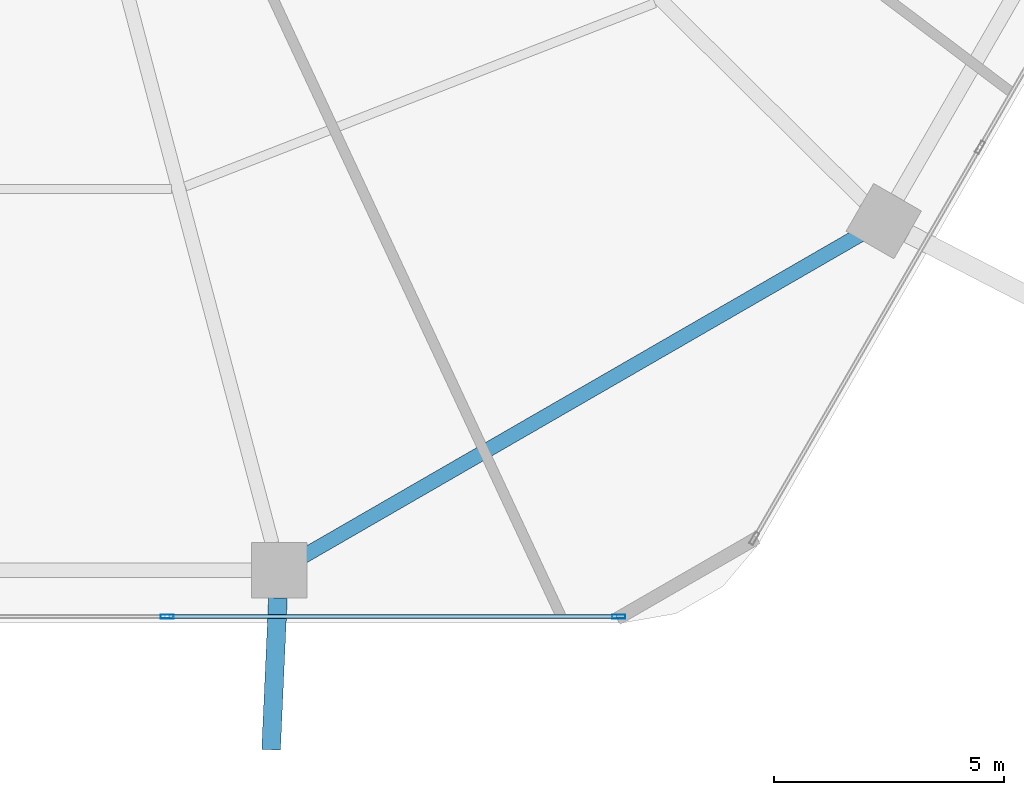
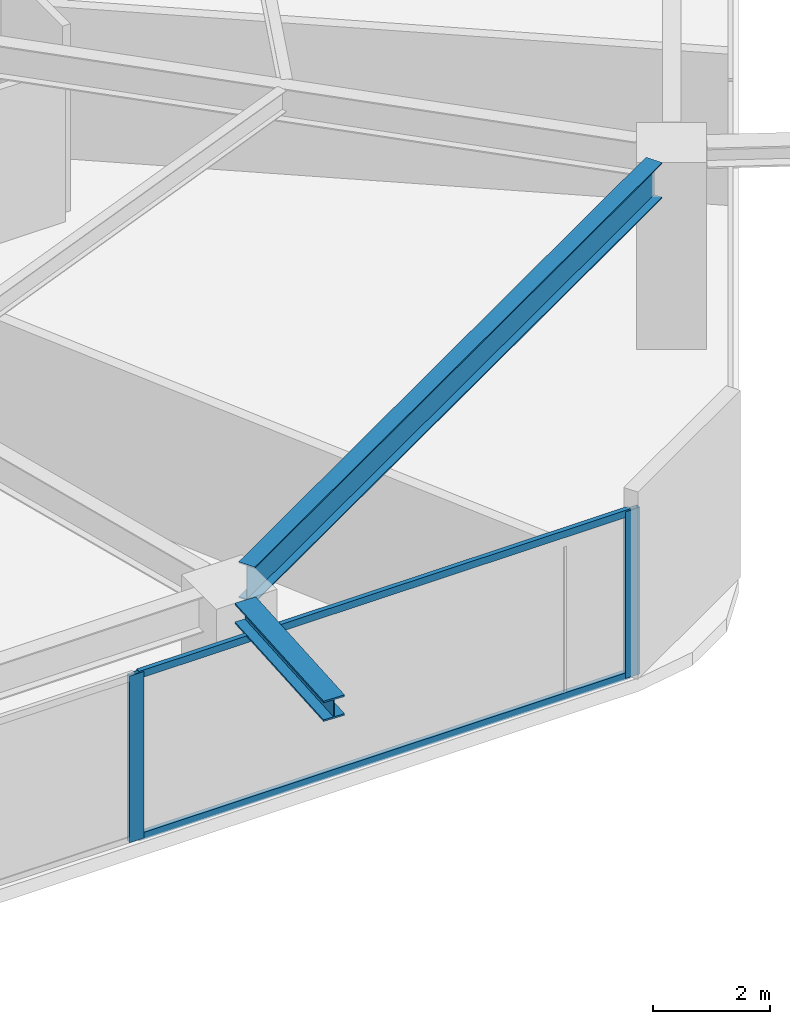
# One storey, part 7 of 25: 4 members, 2 beams, 1 element without a shape of its own.
"""IFC4 building model written with IfcOpenShell, lengths in metres."""

from ifc_helpers import new_model, si_unit, direction, frame, origin, origin_2d, place, context, subcontext, project, spatial, hollow_rectangle, i_section, extrude, material, material_profile, profile_set, type_object, element, aggregate, save


model = new_model("IFC4")

# Units and contexts
model_context = context("Model", 3, precision=1e-05, world=origin(), true_north=direction((0.0, 1.0)))
body_context = subcontext(model_context, "Body", "Model", "MODEL_VIEW")
ifc_project = project(units=[si_unit("LENGTHUNIT", "METRE"), si_unit("AREAUNIT", "SQUARE_METRE"), si_unit("VOLUMEUNIT", "CUBIC_METRE"), si_unit("PLANEANGLEUNIT", "RADIAN"), si_unit("MASSUNIT", "GRAM", prefix="KILO")], contexts=[model_context])

# Site, building, storey
site_placement = place(None, origin())
site = spatial("IfcSite", under=ifc_project, at=site_placement, CompositionType="ELEMENT")
building_placement = place(site_placement, origin())
building = spatial("IfcBuilding", under=site, at=building_placement, Name="Zuhravey Tower", CompositionType="ELEMENT")
storey_placement = place(building_placement, frame((0.0, 0.0, 45.60009765625)))
storey = spatial("IfcBuildingStorey", under=building, at=storey_placement, Name="L11", CompositionType="ELEMENT", Elevation=45.60009765625)

# Curtain wall, members
ifc_material_1 = material(Name="Thermally broken anodised aluminium", Category="aluminium")
curtain_wall_type = type_object("IfcCurtainWallType", Name="School Low-E Unitised Curtain Wall CW1", PredefinedType="NOTDEFINED", material=ifc_material_1)
curtain_wall_placement = place(storey_placement, origin())
curtain_wall = element("IfcCurtainWall", 1, at=curtain_wall_placement, inside=storey, type_object=curtain_wall_type, Name="L11 CW1 CW-L11-F5-1", PredefinedType="NOTDEFINED")
ifc_material_2 = material(Name="Anodised aluminium", Category="aluminium")
ifc_material_profile_1 = material_profile(ifc_material_2, hollow_rectangle(XDim=0.090087890625, YDim=0.284912109375, WallThickness=0.0048828125, at=origin_2d()), Name="ALU-RHS-90x285x5")
ifc_profile_set_1 = profile_set([ifc_material_profile_1], Name="Anodised aluminium")
member_type_1 = type_object("IfcMemberType", Name="Curtain-Wall Mullion 90x180", PredefinedType="MULLION", material=ifc_profile_set_1)
member_1_placement = place(storey_placement, frame((50.75439453125, 3.04150390625, 0.0), z_axis=(0.0, 0.0, 1.0), x_axis=(0.0, -1.0, 0.0)))
member_1 = element("IfcMember", 2, at=member_1_placement, type_object=member_type_1, Name="CW1 mullion 1", PredefinedType="MULLION", context=body_context, shape_type="SweptSolid", body=[
    extrude(hollow_rectangle(XDim=0.090087890625, YDim=0.284912109375, WallThickness=0.0048828125, at=origin_2d()), origin(), (0.0, 0.0, 1.0), 3.491943359375),
])
member_2_placement = place(storey_placement, frame((40.93310546875, 3.04150390625, 0.0), z_axis=(0.0, 0.0, 1.0), x_axis=(0.0, -1.0, 0.0)))
member_2 = element("IfcMember", 3, at=member_2_placement, type_object=member_type_1, Name="CW1 mullion 2", PredefinedType="MULLION", context=body_context, shape_type="SweptSolid", body=[
    extrude(hollow_rectangle(XDim=0.090087890625, YDim=0.284912109375, WallThickness=0.0048828125, at=origin_2d()), origin(), (0.0, 0.0, 1.0), 3.491943359375),
])
ifc_material_profile_2 = material_profile(ifc_material_2, hollow_rectangle(XDim=0.090087890625, YDim=0.14990234375, WallThickness=0.0048828125, at=origin_2d()), Name="ALU-RHS-90x150x5")
ifc_profile_set_2 = profile_set([ifc_material_profile_2], Name="Anodised aluminium")
member_type_2 = type_object("IfcMemberType", Name="Curtain-Wall Transom 90x150", PredefinedType="USERDEFINED", material=ifc_profile_set_2)
member_3_placement = place(storey_placement, frame((50.70947265625, 3.04150390625, 0.044921875), z_axis=(-1.0, 0.0, 0.0), x_axis=(0.0, -1.0, 0.0)))
member_3 = element("IfcMember", 4, at=member_3_placement, type_object=member_type_2, Name="CW1 transom 1.1", ObjectType="TRANSOM", PredefinedType="USERDEFINED", context=body_context, shape_type="SweptSolid", body=[
    extrude(hollow_rectangle(XDim=0.090087890625, YDim=0.14990234375, WallThickness=0.0048828125, at=origin_2d()), origin(), (0.0, 0.0, 1.0), 9.731201171875),
])
member_4_placement = place(storey_placement, frame((50.70947265625, 3.04150390625, 3.447021484375), z_axis=(-1.0, 0.0, 0.0), x_axis=(0.0, -1.0, 0.0)))
member_4 = element("IfcMember", 5, at=member_4_placement, type_object=member_type_2, Name="CW1 transom 1.2", ObjectType="TRANSOM", PredefinedType="USERDEFINED", context=body_context, shape_type="SweptSolid", body=[
    extrude(hollow_rectangle(XDim=0.090087890625, YDim=0.14990234375, WallThickness=0.0048828125, at=origin_2d()), origin(), (0.0, 0.0, 1.0), 9.731201171875),
])
aggregate(curtain_wall, [member_1, member_2, member_3, member_4])

# Beams
ifc_material_3 = material(Name="Steel SM460", Category="steel")
ifc_material_profile_3 = material_profile(ifc_material_3, i_section(OverallWidth=0.406982421875, OverallDepth=0.427978515625, WebThickness=0.02001953125, FlangeThickness=0.034912109375, at=origin_2d()), Name="H-428x407x20x35")
ifc_profile_set_3 = profile_set([ifc_material_profile_3], Name="Steel SM460")
beam_type_1 = type_object("IfcBeamType", Name="Exoskeleton Node Tie Beam H428x407", PredefinedType="BEAM", material=ifc_profile_set_3)
beam_1_placement = place(storey_placement, frame((43.3427734375, 3.447509765625, 3.705810546875), z_axis=(-0.044847958822, -0.9989938241, 0.0), x_axis=(0.9989938241, -0.044847958822, 0.0)))
element("IfcBeam", 6, at=beam_1_placement, inside=storey, type_object=beam_type_1, Name="L11 Exoskeleton Node Tie NT1-10", PredefinedType="BEAM", context=body_context, shape_type="SweptSolid", body=[
    extrude(i_section(OverallWidth=0.406982421875, OverallDepth=0.427978515625, WebThickness=0.02001953125, FlangeThickness=0.034912109375, at=origin_2d()), origin(), (0.0, 0.0, 1.0), 3.304443359375),
])
ifc_material_4 = material(Name="Steel SM355", Category="steel")
ifc_material_profile_4 = material_profile(ifc_material_4, i_section(OverallWidth=0.320068359375, OverallDepth=0.75, WebThickness=0.013916015625, FlangeThickness=0.02490234375, at=origin_2d()), Name="H-750x320x14x25")
ifc_profile_set_4 = profile_set([ifc_material_profile_4], Name="Steel SM355")
beam_type_2 = type_object("IfcBeamType", Name="Perimeter Ring Beam H750x320", PredefinedType="BEAM", material=ifc_profile_set_4)
beam_2_placement = place(storey_placement, frame((43.89208984375, 4.35302734375, 3.544921875), z_axis=(0.866029969761, 0.499992091414, 0.0), x_axis=(-0.499992091414, 0.866029969761, 0.0)))
element("IfcBeam", 7, at=beam_2_placement, inside=storey, type_object=beam_type_2, Name="L11 PB1 BM-L11-PB-10", PredefinedType="BEAM", context=body_context, shape_type="SweptSolid", body=[
    extrude(i_section(OverallWidth=0.320068359375, OverallDepth=0.75, WebThickness=0.013916015625, FlangeThickness=0.02490234375, at=origin_2d()), origin(), (0.0, 0.0, 1.0), 13.977294921875),
])

save(model, "model.ifc")
